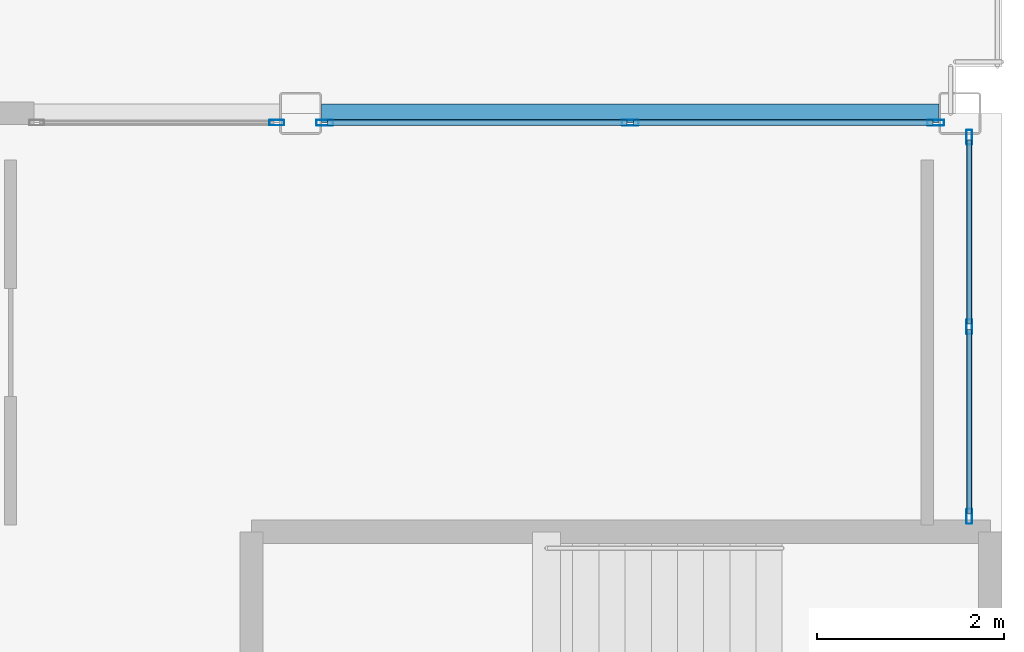
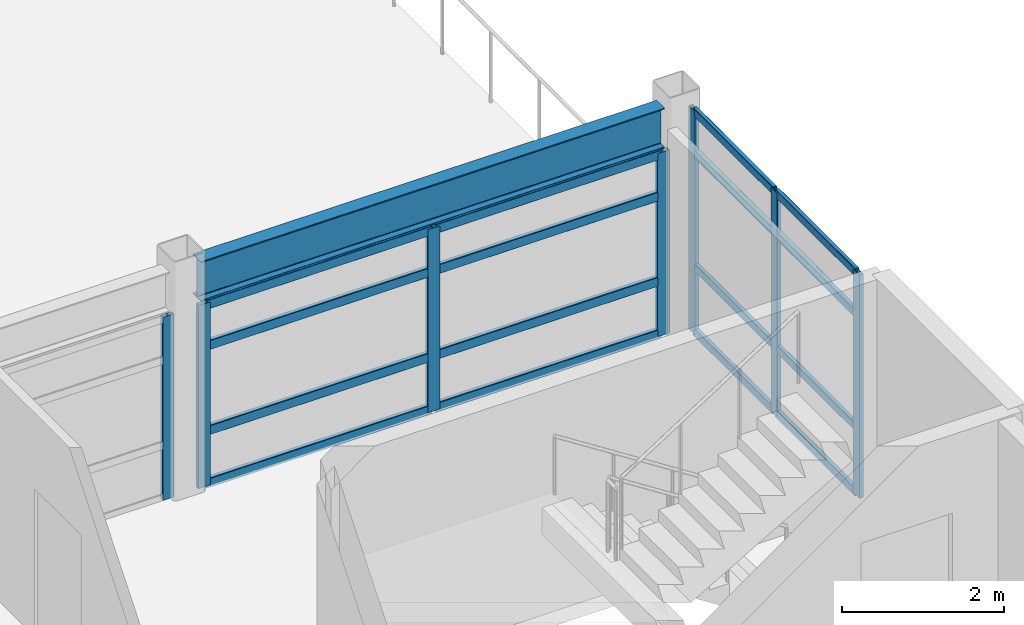
# One storey, part 17 of 28: 23 members, 1 beam, 3 elements without a shape of their own.
"""IFC4 building model written with IfcOpenShell, lengths in metres."""

from ifc_helpers import new_model, si_unit, direction, frame, origin, origin_2d, place, context, subcontext, project, spatial, hollow_rectangle, i_section, extrude, material, layer, layer_set, material_profile, profile_set, type_object, element, aggregate, save


model = new_model("IFC4")

# Units and contexts
model_context = context("Model", 3, precision=1e-05, world=origin(), true_north=direction((0.0, 1.0)))
body_context = subcontext(model_context, "Body", "Model", "MODEL_VIEW")
ifc_project = project(units=[si_unit("LENGTHUNIT", "METRE"), si_unit("AREAUNIT", "SQUARE_METRE"), si_unit("VOLUMEUNIT", "CUBIC_METRE"), si_unit("PLANEANGLEUNIT", "RADIAN"), si_unit("MASSUNIT", "GRAM", prefix="KILO")], contexts=[model_context])

# Site, building, storey
site_placement = place(None, origin())
site = spatial("IfcSite", under=ifc_project, at=site_placement, CompositionType="ELEMENT")
building_placement = place(site_placement, origin())
building = spatial("IfcBuilding", under=site, at=building_placement, Name="Kazehara Bluff Congress Hotel", CompositionType="ELEMENT")
storey_placement = place(building_placement, frame((0.0, 0.0, 42.60009765625)))
storey = spatial("IfcBuildingStorey", under=building, at=storey_placement, Name="L10", CompositionType="ELEMENT", Elevation=42.60009765625)

# Curtain wall, members
ifc_material_1 = material(Name="Anodised aluminium", Category="aluminium")
ifc_layer_1 = layer(ifc_material_1, 0.159912109375)
ifc_layer_set_1 = layer_set([ifc_layer_1], Name="Anodised aluminium")
curtain_wall_type_1 = type_object("IfcCurtainWallType", Name="TP-CW-200", PredefinedType="NOTDEFINED", material=ifc_layer_set_1)
curtain_wall_1_placement = place(storey_placement, origin())
curtain_wall_1 = element("IfcCurtainWall", 1, at=curtain_wall_1_placement, inside=storey, type_object=curtain_wall_type_1, Name="L10 curtain wall CW-200 CW-ENC-V5-L10-16765-7862", PredefinedType="NOTDEFINED")
ifc_material_2 = material(Name="Anodised aluminium", Category="aluminium")
ifc_material_profile_1 = material_profile(ifc_material_2, hollow_rectangle(XDim=0.06005859375, YDim=0.159912109375, WallThickness=0.00390625, InnerFilletRadius=0.00390625, OuterFilletRadius=0.008056640625, at=origin_2d()))
ifc_profile_set_1 = profile_set([ifc_material_profile_1], Name="Anodised aluminium")
member_type_1 = type_object("IfcMemberType", Name="TP-CWM-01", PredefinedType="MULLION", material=ifc_profile_set_1)
member_1_placement = place(storey_placement, frame((167.64990234375, 80.64501953125, 0.0), z_axis=(0.0, 0.0, 1.0), x_axis=(1.0, 0.0, 0.0)))
member_1 = element("IfcMember", 2, at=member_1_placement, type_object=member_type_1, Name="CW-200 mullion 1", PredefinedType="MULLION", context=body_context, shape_type="SweptSolid", body=[
    extrude(hollow_rectangle(XDim=0.06005859375, YDim=0.159912109375, WallThickness=0.00390625, InnerFilletRadius=0.00390625, OuterFilletRadius=0.008056640625, at=origin_2d()), origin(), (0.0, 0.0, 1.0), 3.364990234375),
])
member_2_placement = place(storey_placement, frame((167.64990234375, 78.617431640625, 0.0), z_axis=(0.0, 0.0, 1.0), x_axis=(1.0, 0.0, 0.0)))
member_2 = element("IfcMember", 3, at=member_2_placement, type_object=member_type_1, Name="CW-200 mullion 2", PredefinedType="MULLION", context=body_context, shape_type="SweptSolid", body=[
    extrude(hollow_rectangle(XDim=0.06005859375, YDim=0.159912109375, WallThickness=0.00390625, InnerFilletRadius=0.00390625, OuterFilletRadius=0.008056640625, at=origin_2d()), origin(), (0.0, 0.0, 1.0), 3.364990234375),
])
member_3_placement = place(storey_placement, frame((167.64990234375, 76.590087890625, 0.0), z_axis=(0.0, 0.0, 1.0), x_axis=(1.0, 0.0, 0.0)))
member_3 = element("IfcMember", 4, at=member_3_placement, type_object=member_type_1, Name="CW-200 mullion 3", PredefinedType="MULLION", context=body_context, shape_type="SweptSolid", body=[
    extrude(hollow_rectangle(XDim=0.06005859375, YDim=0.159912109375, WallThickness=0.00390625, InnerFilletRadius=0.00390625, OuterFilletRadius=0.008056640625, at=origin_2d()), origin(), (0.0, 0.0, 1.0), 3.364990234375),
])

# Curtain wall, member
ifc_material_3 = material(Name="Anodised aluminium", Category="aluminium")
ifc_layer_2 = layer(ifc_material_3, 0.159912109375)
ifc_layer_set_2 = layer_set([ifc_layer_2], Name="Anodised aluminium")
curtain_wall_type_2 = type_object("IfcCurtainWallType", Name="TP-CW-197", PredefinedType="NOTDEFINED", material=ifc_layer_set_2)
curtain_wall_2_placement = place(storey_placement, origin())
curtain_wall_2 = element("IfcCurtainWall", 5, at=curtain_wall_2_placement, inside=storey, type_object=curtain_wall_type_2, Name="L10 curtain wall CW-197 CW-ENC-V5-L10-15896-8080", PredefinedType="NOTDEFINED")
member_4_placement = place(storey_placement, frame((160.2451171875, 80.800048828125, 0.0), z_axis=(0.0, 0.0, 1.0), x_axis=(0.0, 1.0, 0.0)))
member_4 = element("IfcMember", 6, at=member_4_placement, type_object=member_type_1, Name="CW-197 mullion 2", PredefinedType="MULLION", context=body_context, shape_type="SweptSolid", body=[
    extrude(hollow_rectangle(XDim=0.06005859375, YDim=0.159912109375, WallThickness=0.00390625, InnerFilletRadius=0.00390625, OuterFilletRadius=0.008056640625, at=origin_2d()), origin(), (0.0, 0.0, 1.0), 2.7548828125),
])
aggregate(curtain_wall_2, [member_4])

# Curtain wall, members
ifc_material_4 = material(Name="Anodised aluminium", Category="aluminium")
ifc_layer_3 = layer(ifc_material_4, 0.159912109375)
ifc_layer_set_3 = layer_set([ifc_layer_3], Name="Anodised aluminium")
curtain_wall_type_3 = type_object("IfcCurtainWallType", Name="TP-CW-188", PredefinedType="NOTDEFINED", material=ifc_layer_set_3)
curtain_wall_3_placement = place(storey_placement, origin())
curtain_wall_3 = element("IfcCurtainWall", 7, at=curtain_wall_3_placement, inside=storey, type_object=curtain_wall_type_3, Name="L10 curtain wall CW-188 CW-ENC-V5-L10-16402-8080", PredefinedType="NOTDEFINED")
ifc_material_5 = material(Name="Anodised aluminium", Category="aluminium")
ifc_material_profile_2 = material_profile(ifc_material_5, hollow_rectangle(XDim=0.06494140625, YDim=0.179931640625, WallThickness=0.00390625, InnerFilletRadius=0.00390625, OuterFilletRadius=0.008056640625, at=origin_2d()))
ifc_profile_set_2 = profile_set([ifc_material_profile_2], Name="Anodised aluminium")
member_type_2 = type_object("IfcMemberType", Name="TP-CWM-02", PredefinedType="MULLION", material=ifc_profile_set_2)
member_5_placement = place(storey_placement, frame((160.757568359375, 80.800048828125, 0.0), z_axis=(0.0, 0.0, 1.0), x_axis=(0.0, 1.0, 0.0)))
member_5 = element("IfcMember", 8, at=member_5_placement, type_object=member_type_2, Name="CW-188 mullion 1", PredefinedType="MULLION", context=body_context, shape_type="SweptSolid", body=[
    extrude(hollow_rectangle(XDim=0.06494140625, YDim=0.179931640625, WallThickness=0.00390625, InnerFilletRadius=0.00390625, OuterFilletRadius=0.008056640625, at=origin_2d()), origin(), (0.0, 0.0, 1.0), 2.7548828125),
])
member_6_placement = place(storey_placement, frame((164.02490234375, 80.800048828125, 0.0), z_axis=(0.0, 0.0, 1.0), x_axis=(0.0, 1.0, 0.0)))
member_6 = element("IfcMember", 9, at=member_6_placement, type_object=member_type_2, Name="CW-188 mullion 2", PredefinedType="MULLION", context=body_context, shape_type="SweptSolid", body=[
    extrude(hollow_rectangle(XDim=0.06494140625, YDim=0.179931640625, WallThickness=0.00390625, InnerFilletRadius=0.00390625, OuterFilletRadius=0.008056640625, at=origin_2d()), origin(), (0.0, 0.0, 1.0), 2.7548828125),
])
member_7_placement = place(storey_placement, frame((167.29248046875, 80.800048828125, 0.0), z_axis=(0.0, 0.0, 1.0), x_axis=(0.0, 1.0, 0.0)))
member_7 = element("IfcMember", 10, at=member_7_placement, type_object=member_type_2, Name="CW-188 mullion 3", PredefinedType="MULLION", context=body_context, shape_type="SweptSolid", body=[
    extrude(hollow_rectangle(XDim=0.06494140625, YDim=0.179931640625, WallThickness=0.00390625, InnerFilletRadius=0.00390625, OuterFilletRadius=0.008056640625, at=origin_2d()), origin(), (0.0, 0.0, 1.0), 2.7548828125),
])

# Member
ifc_material_6 = material(Name="Anodised aluminium", Category="aluminium")
ifc_material_profile_3 = material_profile(ifc_material_6, hollow_rectangle(XDim=0.06005859375, YDim=0.1201171875, WallThickness=0.00390625, InnerFilletRadius=0.00390625, OuterFilletRadius=0.008056640625, at=origin_2d()))
ifc_profile_set_3 = profile_set([ifc_material_profile_3], Name="Anodised aluminium")
member_type_3 = type_object("IfcMemberType", Name="TP-CWT-01", PredefinedType="USERDEFINED", material=ifc_profile_set_3)
member_8_placement = place(storey_placement, frame((167.64990234375, 80.614990234375, 0.02978515625), z_axis=(0.0, -1.0, 0.0), x_axis=(1.0, 0.0, 0.0)))
member_8 = element("IfcMember", 11, at=member_8_placement, type_object=member_type_3, Name="CW-200 transom 1.1", ObjectType="TRANSOM", PredefinedType="USERDEFINED", context=body_context, shape_type="SweptSolid", body=[
    extrude(hollow_rectangle(XDim=0.06005859375, YDim=0.1201171875, WallThickness=0.00390625, InnerFilletRadius=0.00390625, OuterFilletRadius=0.008056640625, at=origin_2d()), origin(), (0.0, 0.0, 1.0), 1.967529296875),
])

member_9_placement = place(storey_placement, frame((167.64990234375, 80.614990234375, 1.010009765625), z_axis=(0.0, -1.0, 0.0), x_axis=(1.0, 0.0, 0.0)))
member_9 = element("IfcMember", 12, at=member_9_placement, type_object=member_type_3, Name="CW-200 transom 1.2", ObjectType="TRANSOM", PredefinedType="USERDEFINED", context=body_context, shape_type="SweptSolid", body=[
    extrude(hollow_rectangle(XDim=0.06005859375, YDim=0.1201171875, WallThickness=0.00390625, InnerFilletRadius=0.00390625, OuterFilletRadius=0.008056640625, at=origin_2d()), origin(), (0.0, 0.0, 1.0), 1.967529296875),
])

member_10_placement = place(storey_placement, frame((167.64990234375, 80.614990234375, 2.71484375), z_axis=(0.0, -1.0, 0.0), x_axis=(1.0, 0.0, 0.0)))
member_10 = element("IfcMember", 13, at=member_10_placement, type_object=member_type_3, Name="CW-200 transom 1.3", ObjectType="TRANSOM", PredefinedType="USERDEFINED", context=body_context, shape_type="SweptSolid", body=[
    extrude(hollow_rectangle(XDim=0.06005859375, YDim=0.1201171875, WallThickness=0.00390625, InnerFilletRadius=0.00390625, OuterFilletRadius=0.008056640625, at=origin_2d()), origin(), (0.0, 0.0, 1.0), 1.967529296875),
])

member_11_placement = place(storey_placement, frame((167.64990234375, 80.614990234375, 3.3349609375), z_axis=(0.0, -1.0, 0.0), x_axis=(1.0, 0.0, 0.0)))
member_11 = element("IfcMember", 14, at=member_11_placement, type_object=member_type_3, Name="CW-200 transom 1.4", ObjectType="TRANSOM", PredefinedType="USERDEFINED", context=body_context, shape_type="SweptSolid", body=[
    extrude(hollow_rectangle(XDim=0.06005859375, YDim=0.1201171875, WallThickness=0.00390625, InnerFilletRadius=0.00390625, OuterFilletRadius=0.008056640625, at=origin_2d()), origin(), (0.0, 0.0, 1.0), 1.967529296875),
])

member_12_placement = place(storey_placement, frame((167.64990234375, 78.58740234375, 0.02978515625), z_axis=(0.0, -1.0, 0.0), x_axis=(1.0, 0.0, 0.0)))
member_12 = element("IfcMember", 15, at=member_12_placement, type_object=member_type_3, Name="CW-200 transom 2.1", ObjectType="TRANSOM", PredefinedType="USERDEFINED", context=body_context, shape_type="SweptSolid", body=[
    extrude(hollow_rectangle(XDim=0.06005859375, YDim=0.1201171875, WallThickness=0.00390625, InnerFilletRadius=0.00390625, OuterFilletRadius=0.008056640625, at=origin_2d()), origin(), (0.0, 0.0, 1.0), 1.96728515625),
])

member_13_placement = place(storey_placement, frame((167.64990234375, 78.58740234375, 1.010009765625), z_axis=(0.0, -1.0, 0.0), x_axis=(1.0, 0.0, 0.0)))
member_13 = element("IfcMember", 16, at=member_13_placement, type_object=member_type_3, Name="CW-200 transom 2.2", ObjectType="TRANSOM", PredefinedType="USERDEFINED", context=body_context, shape_type="SweptSolid", body=[
    extrude(hollow_rectangle(XDim=0.06005859375, YDim=0.1201171875, WallThickness=0.00390625, InnerFilletRadius=0.00390625, OuterFilletRadius=0.008056640625, at=origin_2d()), origin(), (0.0, 0.0, 1.0), 1.96728515625),
])

member_14_placement = place(storey_placement, frame((167.64990234375, 78.58740234375, 2.71484375), z_axis=(0.0, -1.0, 0.0), x_axis=(1.0, 0.0, 0.0)))
member_14 = element("IfcMember", 17, at=member_14_placement, type_object=member_type_3, Name="CW-200 transom 2.3", ObjectType="TRANSOM", PredefinedType="USERDEFINED", context=body_context, shape_type="SweptSolid", body=[
    extrude(hollow_rectangle(XDim=0.06005859375, YDim=0.1201171875, WallThickness=0.00390625, InnerFilletRadius=0.00390625, OuterFilletRadius=0.008056640625, at=origin_2d()), origin(), (0.0, 0.0, 1.0), 1.96728515625),
])

member_15_placement = place(storey_placement, frame((167.64990234375, 78.58740234375, 3.3349609375), z_axis=(0.0, -1.0, 0.0), x_axis=(1.0, 0.0, 0.0)))
member_15 = element("IfcMember", 18, at=member_15_placement, type_object=member_type_3, Name="CW-200 transom 2.4", ObjectType="TRANSOM", PredefinedType="USERDEFINED", context=body_context, shape_type="SweptSolid", body=[
    extrude(hollow_rectangle(XDim=0.06005859375, YDim=0.1201171875, WallThickness=0.00390625, InnerFilletRadius=0.00390625, OuterFilletRadius=0.008056640625, at=origin_2d()), origin(), (0.0, 0.0, 1.0), 1.96728515625),
])

aggregate(curtain_wall_1, [member_1, member_2, member_3, member_8, member_9, member_10, member_11, member_12, member_13, member_14, member_15])

ifc_material_7 = material(Name="Anodised aluminium", Category="aluminium")
ifc_material_profile_4 = material_profile(ifc_material_7, hollow_rectangle(XDim=0.06494140625, YDim=0.139892578125, WallThickness=0.00390625, InnerFilletRadius=0.00390625, OuterFilletRadius=0.008056640625, at=origin_2d()))
ifc_profile_set_4 = profile_set([ifc_material_profile_4], Name="Anodised aluminium")
member_type_4 = type_object("IfcMemberType", Name="TP-CWT-02", PredefinedType="USERDEFINED", material=ifc_profile_set_4)
member_16_placement = place(storey_placement, frame((160.7900390625, 80.800048828125, 0.032470703125), z_axis=(1.0, 0.0, 0.0), x_axis=(0.0, 1.0, 0.0)))
member_16 = element("IfcMember", 19, at=member_16_placement, type_object=member_type_4, Name="CW-188 transom 1.1", ObjectType="TRANSOM", PredefinedType="USERDEFINED", context=body_context, shape_type="SweptSolid", body=[
    extrude(hollow_rectangle(XDim=0.06494140625, YDim=0.139892578125, WallThickness=0.00390625, InnerFilletRadius=0.00390625, OuterFilletRadius=0.008056640625, at=origin_2d()), origin(), (0.0, 0.0, 1.0), 3.202392578125),
])

member_17_placement = place(storey_placement, frame((160.7900390625, 80.800048828125, 0.824951171875), z_axis=(1.0, 0.0, 0.0), x_axis=(0.0, 1.0, 0.0)))
member_17 = element("IfcMember", 20, at=member_17_placement, type_object=member_type_4, Name="CW-188 transom 1.2", ObjectType="TRANSOM", PredefinedType="USERDEFINED", context=body_context, shape_type="SweptSolid", body=[
    extrude(hollow_rectangle(XDim=0.06494140625, YDim=0.139892578125, WallThickness=0.00390625, InnerFilletRadius=0.00390625, OuterFilletRadius=0.008056640625, at=origin_2d()), origin(), (0.0, 0.0, 1.0), 3.202392578125),
])

member_18_placement = place(storey_placement, frame((160.7900390625, 80.800048828125, 2.10498046875), z_axis=(1.0, 0.0, 0.0), x_axis=(0.0, 1.0, 0.0)))
member_18 = element("IfcMember", 21, at=member_18_placement, type_object=member_type_4, Name="CW-188 transom 1.3", ObjectType="TRANSOM", PredefinedType="USERDEFINED", context=body_context, shape_type="SweptSolid", body=[
    extrude(hollow_rectangle(XDim=0.06494140625, YDim=0.139892578125, WallThickness=0.00390625, InnerFilletRadius=0.00390625, OuterFilletRadius=0.008056640625, at=origin_2d()), origin(), (0.0, 0.0, 1.0), 3.202392578125),
])

member_19_placement = place(storey_placement, frame((160.7900390625, 80.800048828125, 2.722412109375), z_axis=(1.0, 0.0, 0.0), x_axis=(0.0, 1.0, 0.0)))
member_19 = element("IfcMember", 22, at=member_19_placement, type_object=member_type_4, Name="CW-188 transom 1.4", ObjectType="TRANSOM", PredefinedType="USERDEFINED", context=body_context, shape_type="SweptSolid", body=[
    extrude(hollow_rectangle(XDim=0.06494140625, YDim=0.139892578125, WallThickness=0.00390625, InnerFilletRadius=0.00390625, OuterFilletRadius=0.008056640625, at=origin_2d()), origin(), (0.0, 0.0, 1.0), 3.202392578125),
])

member_20_placement = place(storey_placement, frame((164.0576171875, 80.800048828125, 0.032470703125), z_axis=(1.0, 0.0, 0.0), x_axis=(0.0, 1.0, 0.0)))
member_20 = element("IfcMember", 23, at=member_20_placement, type_object=member_type_4, Name="CW-188 transom 2.1", ObjectType="TRANSOM", PredefinedType="USERDEFINED", context=body_context, shape_type="SweptSolid", body=[
    extrude(hollow_rectangle(XDim=0.06494140625, YDim=0.139892578125, WallThickness=0.00390625, InnerFilletRadius=0.00390625, OuterFilletRadius=0.008056640625, at=origin_2d()), origin(), (0.0, 0.0, 1.0), 3.202392578125),
])

member_21_placement = place(storey_placement, frame((164.0576171875, 80.800048828125, 0.824951171875), z_axis=(1.0, 0.0, 0.0), x_axis=(0.0, 1.0, 0.0)))
member_21 = element("IfcMember", 24, at=member_21_placement, type_object=member_type_4, Name="CW-188 transom 2.2", ObjectType="TRANSOM", PredefinedType="USERDEFINED", context=body_context, shape_type="SweptSolid", body=[
    extrude(hollow_rectangle(XDim=0.06494140625, YDim=0.139892578125, WallThickness=0.00390625, InnerFilletRadius=0.00390625, OuterFilletRadius=0.008056640625, at=origin_2d()), origin(), (0.0, 0.0, 1.0), 3.202392578125),
])

member_22_placement = place(storey_placement, frame((164.0576171875, 80.800048828125, 2.10498046875), z_axis=(1.0, 0.0, 0.0), x_axis=(0.0, 1.0, 0.0)))
member_22 = element("IfcMember", 25, at=member_22_placement, type_object=member_type_4, Name="CW-188 transom 2.3", ObjectType="TRANSOM", PredefinedType="USERDEFINED", context=body_context, shape_type="SweptSolid", body=[
    extrude(hollow_rectangle(XDim=0.06494140625, YDim=0.139892578125, WallThickness=0.00390625, InnerFilletRadius=0.00390625, OuterFilletRadius=0.008056640625, at=origin_2d()), origin(), (0.0, 0.0, 1.0), 3.202392578125),
])

member_23_placement = place(storey_placement, frame((164.0576171875, 80.800048828125, 2.722412109375), z_axis=(1.0, 0.0, 0.0), x_axis=(0.0, 1.0, 0.0)))
member_23 = element("IfcMember", 26, at=member_23_placement, type_object=member_type_4, Name="CW-188 transom 2.4", ObjectType="TRANSOM", PredefinedType="USERDEFINED", context=body_context, shape_type="SweptSolid", body=[
    extrude(hollow_rectangle(XDim=0.06494140625, YDim=0.139892578125, WallThickness=0.00390625, InnerFilletRadius=0.00390625, OuterFilletRadius=0.008056640625, at=origin_2d()), origin(), (0.0, 0.0, 1.0), 3.202392578125),
])

aggregate(curtain_wall_3, [member_5, member_6, member_7, member_16, member_17, member_18, member_19, member_20, member_21, member_22, member_23])

# Beam
ifc_material_8 = material(Name="Steel SN490B", Category="steel")
ifc_material_profile_5 = material_profile(ifc_material_8, i_section(OverallWidth=0.199951171875, OverallDepth=0.60009765625, WebThickness=0.010986328125, FlangeThickness=0.01708984375, FilletRadius=0.012939453125, at=origin_2d()))
ifc_profile_set_5 = profile_set([ifc_material_profile_5], Name="Steel SN490B")
beam_type = type_object("IfcBeamType", Name="TP-SP-02", PredefinedType="SPANDREL", material=ifc_profile_set_5)
beam_placement = place(storey_placement, frame((160.72509765625, 80.89990234375, 3.079833984375), z_axis=(1.0, 0.0, 0.0), x_axis=(0.0, 1.0, 0.0)))
element("IfcBeam", 27, at=beam_placement, inside=storey, type_object=beam_type, Name="L10 girder SP-02 47", PredefinedType="SPANDREL", context=body_context, shape_type="SweptSolid", body=[
    extrude(i_section(OverallWidth=0.199951171875, OverallDepth=0.60009765625, WebThickness=0.010986328125, FlangeThickness=0.01708984375, FilletRadius=0.012939453125, at=origin_2d()), origin(), (0.0, 0.0, 1.0), 6.599853515625),
])

save(model, "model.ifc")
